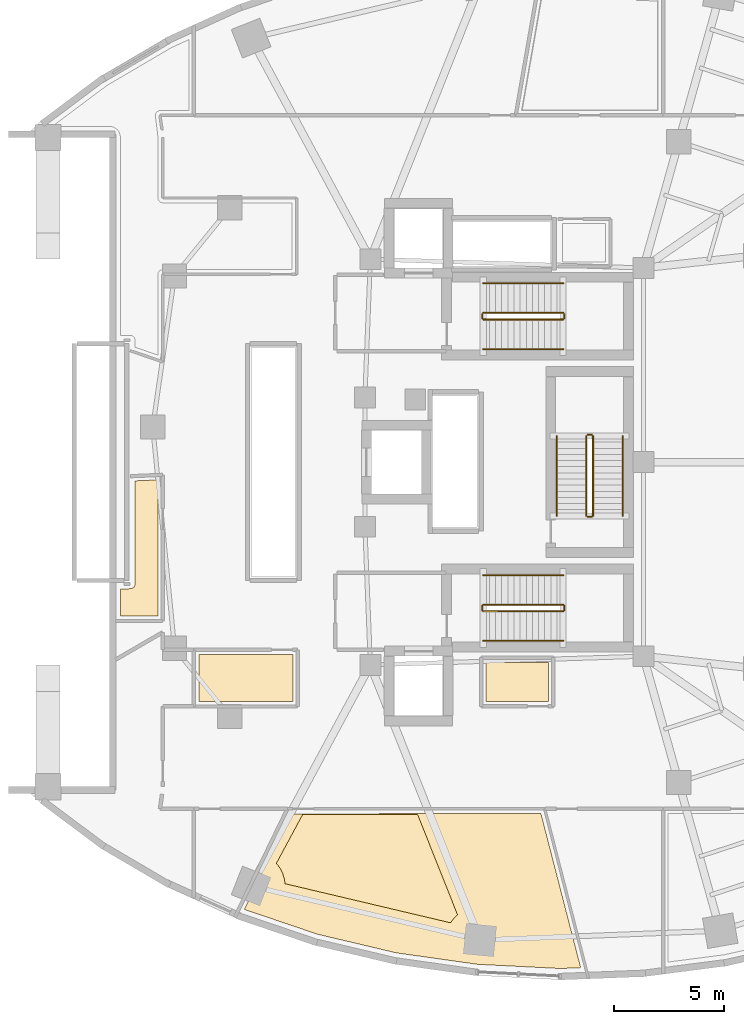
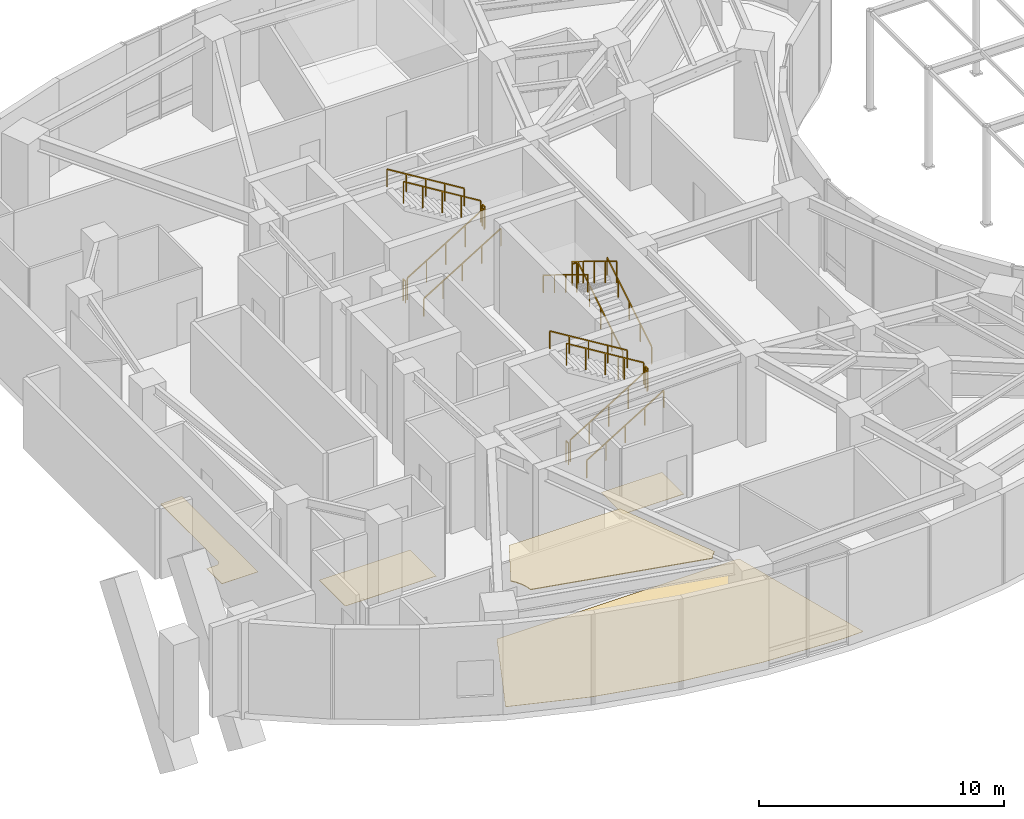
# One storey, part 21 of 24: 18 railings, 5 coverings.
"""IFC4 building model written with IfcOpenShell, lengths in metres."""

from ifc_helpers import new_model, si_unit, direction, frame, origin, origin_2d, place, context, subcontext, project, spatial, polyline, rectangle, outline, extrude, material, layer, layer_set, type_object, element, save


model = new_model("IFC4")

# Units and contexts
model_context = context("Model", 3, precision=1e-05, world=origin(), true_north=direction((0.0, 1.0)))
body_context = subcontext(model_context, "Body", "Model", "MODEL_VIEW")
ifc_project = project(units=[si_unit("LENGTHUNIT", "METRE"), si_unit("AREAUNIT", "SQUARE_METRE"), si_unit("VOLUMEUNIT", "CUBIC_METRE"), si_unit("PLANEANGLEUNIT", "RADIAN"), si_unit("MASSUNIT", "GRAM", prefix="KILO")], contexts=[model_context])

# Site, building, storey
site_placement = place(None, origin())
site = spatial("IfcSite", under=ifc_project, at=site_placement, CompositionType="ELEMENT")
building_placement = place(site_placement, origin())
building = spatial("IfcBuilding", under=site, at=building_placement, Name="Korentha Bioscience Tower", CompositionType="ELEMENT")
storey_placement = place(building_placement, frame((0.0, 0.0, 5.39990234375)))
storey = spatial("IfcBuildingStorey", under=building, at=storey_placement, Name="L01", CompositionType="ELEMENT", Elevation=5.39990234375)

# Railings
ifc_material_1 = material(Name="Stainless Steel 304", Category="steel")
railing_type_1 = type_object("IfcRailingType", Name="Brushed Stainless Stair Handrail 900", PredefinedType="HANDRAIL", material=ifc_material_1)
railing_1_placement = place(storey_placement, frame((30.25, 32.14990234375, 0.171630859375)))
element("IfcRailing", 1, at=railing_1_placement, inside=storey, type_object=railing_type_1, Name="L01 ST-1 stair handrail 1", PredefinedType="HANDRAIL", context=body_context, shape_type="SweptSolid", body=[
    extrude(rectangle(XDim=0.048095703125, YDim=0.048095703125, at=origin_2d()), frame((0.0, 0.0, 0.8759765625), z_axis=(0.852850264322, 0.0, 0.5221555579), x_axis=(0.0, 1.0, 0.0)), (0.0, 0.0, 1.0), 4.267822265625),
    extrude(rectangle(XDim=0.0419921875, YDim=0.0419921875, at=origin_2d()), origin(), (0.0, 0.0, 1.0), 0.851806640625),
    extrude(rectangle(XDim=0.0419921875, YDim=0.0419921875, at=origin_2d()), frame((0.909912109375, 0.0, 0.55712890625)), (0.0, 0.0, 1.0), 0.851806640625),
    extrude(rectangle(XDim=0.0419921875, YDim=0.0419921875, at=origin_2d()), frame((1.81982421875, 0.0, 1.1142578125)), (0.0, 0.0, 1.0), 0.851806640625),
    extrude(rectangle(XDim=0.0419921875, YDim=0.0419921875, at=origin_2d()), frame((2.72998046875, 0.0, 1.67138671875)), (0.0, 0.0, 1.0), 0.851806640625),
    extrude(rectangle(XDim=0.0419921875, YDim=0.0419921875, at=origin_2d()), frame((3.639892578125, 0.0, 2.228515625)), (0.0, 0.0, 1.0), 0.851806640625),
])
railing_2_placement = place(storey_placement, frame((33.889892578125, 35.14990234375, 2.571533203125)))
element("IfcRailing", 2, at=railing_2_placement, inside=storey, type_object=railing_type_1, Name="L01 ST-1 stair handrail 2", PredefinedType="HANDRAIL", context=body_context, shape_type="SweptSolid", body=[
    extrude(rectangle(XDim=0.048095703125, YDim=0.048095703125, at=origin_2d()), frame((0.0, 0.0, 0.8759765625), z_axis=(-0.852850264322, 0.0, 0.5221555579), x_axis=(0.0, -1.0, 0.0)), (0.0, 0.0, 1.0), 4.267822265625),
    extrude(rectangle(XDim=0.0419921875, YDim=0.0419921875, at=origin_2d()), origin(), (0.0, 0.0, 1.0), 0.851806640625),
    extrude(rectangle(XDim=0.0419921875, YDim=0.0419921875, at=origin_2d()), frame((-0.909912109375, 0.0, 0.55712890625)), (0.0, 0.0, 1.0), 0.851806640625),
    extrude(rectangle(XDim=0.0419921875, YDim=0.0419921875, at=origin_2d()), frame((-1.81982421875, 0.0, 1.1142578125)), (0.0, 0.0, 1.0), 0.851806640625),
    extrude(rectangle(XDim=0.0419921875, YDim=0.0419921875, at=origin_2d()), frame((-2.72998046875, 0.0, 1.67138671875)), (0.0, 0.0, 1.0), 0.851806640625),
    extrude(rectangle(XDim=0.0419921875, YDim=0.0419921875, at=origin_2d()), frame((-3.639892578125, 0.0, 2.228515625)), (0.0, 0.0, 1.0), 0.851806640625),
])
railing_3_placement = place(storey_placement, frame((30.25, 18.85009765625, 0.171630859375)))
element("IfcRailing", 3, at=railing_3_placement, inside=storey, type_object=railing_type_1, Name="L01 ST-2 stair handrail 1", PredefinedType="HANDRAIL", context=body_context, shape_type="SweptSolid", body=[
    extrude(rectangle(XDim=0.048095703125, YDim=0.048095703125, at=origin_2d()), frame((0.0, 0.0, 0.8759765625), z_axis=(0.852850264322, 0.0, 0.5221555579), x_axis=(0.0, 1.0, 0.0)), (0.0, 0.0, 1.0), 4.267822265625),
    extrude(rectangle(XDim=0.0419921875, YDim=0.0419921875, at=origin_2d()), origin(), (0.0, 0.0, 1.0), 0.851806640625),
    extrude(rectangle(XDim=0.0419921875, YDim=0.0419921875, at=origin_2d()), frame((0.909912109375, 0.0, 0.55712890625)), (0.0, 0.0, 1.0), 0.851806640625),
    extrude(rectangle(XDim=0.0419921875, YDim=0.0419921875, at=origin_2d()), frame((1.81982421875, 0.0, 1.1142578125)), (0.0, 0.0, 1.0), 0.851806640625),
    extrude(rectangle(XDim=0.0419921875, YDim=0.0419921875, at=origin_2d()), frame((2.72998046875, 0.0, 1.67138671875)), (0.0, 0.0, 1.0), 0.851806640625),
    extrude(rectangle(XDim=0.0419921875, YDim=0.0419921875, at=origin_2d()), frame((3.639892578125, 0.0, 2.228515625)), (0.0, 0.0, 1.0), 0.851806640625),
])
railing_4_placement = place(storey_placement, frame((33.889892578125, 21.85009765625, 2.571533203125)))
element("IfcRailing", 4, at=railing_4_placement, inside=storey, type_object=railing_type_1, Name="L01 ST-2 stair handrail 2", PredefinedType="HANDRAIL", context=body_context, shape_type="SweptSolid", body=[
    extrude(rectangle(XDim=0.048095703125, YDim=0.048095703125, at=origin_2d()), frame((0.0, 0.0, 0.8759765625), z_axis=(-0.852850264322, 0.0, 0.5221555579), x_axis=(0.0, -1.0, 0.0)), (0.0, 0.0, 1.0), 4.267822265625),
    extrude(rectangle(XDim=0.0419921875, YDim=0.0419921875, at=origin_2d()), origin(), (0.0, 0.0, 1.0), 0.851806640625),
    extrude(rectangle(XDim=0.0419921875, YDim=0.0419921875, at=origin_2d()), frame((-0.909912109375, 0.0, 0.55712890625)), (0.0, 0.0, 1.0), 0.851806640625),
    extrude(rectangle(XDim=0.0419921875, YDim=0.0419921875, at=origin_2d()), frame((-1.81982421875, 0.0, 1.1142578125)), (0.0, 0.0, 1.0), 0.851806640625),
    extrude(rectangle(XDim=0.0419921875, YDim=0.0419921875, at=origin_2d()), frame((-2.72998046875, 0.0, 1.67138671875)), (0.0, 0.0, 1.0), 0.851806640625),
    extrude(rectangle(XDim=0.0419921875, YDim=0.0419921875, at=origin_2d()), frame((-3.639892578125, 0.0, 2.228515625)), (0.0, 0.0, 1.0), 0.851806640625),
])
railing_5_placement = place(storey_placement, frame((36.60009765625, 24.550048828125, 0.171630859375)))
element("IfcRailing", 5, at=railing_5_placement, inside=storey, type_object=railing_type_1, Name="L01 ST-3 stair handrail 1", PredefinedType="HANDRAIL", context=body_context, shape_type="SweptSolid", body=[
    extrude(rectangle(XDim=0.048095703125, YDim=0.048095703125, at=origin_2d()), frame((0.0, 0.0, 0.8759765625), z_axis=(0.0, 0.852850264322, 0.5221555579), x_axis=(-1.0, 0.0, 0.0)), (0.0, 0.0, 1.0), 4.267822265625),
    extrude(rectangle(XDim=0.0419921875, YDim=0.0419921875, at=origin_2d()), origin(), (0.0, 0.0, 1.0), 0.851806640625),
    extrude(rectangle(XDim=0.0419921875, YDim=0.0419921875, at=origin_2d()), frame((0.0, 0.909912109375, 0.55712890625)), (0.0, 0.0, 1.0), 0.851806640625),
    extrude(rectangle(XDim=0.0419921875, YDim=0.0419921875, at=origin_2d()), frame((0.0, 1.81982421875, 1.1142578125)), (0.0, 0.0, 1.0), 0.851806640625),
    extrude(rectangle(XDim=0.0419921875, YDim=0.0419921875, at=origin_2d()), frame((0.0, 2.72998046875, 1.67138671875)), (0.0, 0.0, 1.0), 0.851806640625),
    extrude(rectangle(XDim=0.0419921875, YDim=0.0419921875, at=origin_2d()), frame((0.0, 3.639892578125, 2.228515625)), (0.0, 0.0, 1.0), 0.851806640625),
])
railing_6_placement = place(storey_placement, frame((33.60009765625, 28.18994140625, 2.571533203125)))
element("IfcRailing", 6, at=railing_6_placement, inside=storey, type_object=railing_type_1, Name="L01 ST-3 stair handrail 2", PredefinedType="HANDRAIL", context=body_context, shape_type="SweptSolid", body=[
    extrude(rectangle(XDim=0.048095703125, YDim=0.048095703125, at=origin_2d()), frame((0.0, 0.0, 0.8759765625), z_axis=(0.0, -0.852850264322, 0.5221555579), x_axis=(1.0, 0.0, 0.0)), (0.0, 0.0, 1.0), 4.267822265625),
    extrude(rectangle(XDim=0.0419921875, YDim=0.0419921875, at=origin_2d()), origin(), (0.0, 0.0, 1.0), 0.851806640625),
    extrude(rectangle(XDim=0.0419921875, YDim=0.0419921875, at=origin_2d()), frame((0.0, -0.909912109375, 0.55712890625)), (0.0, 0.0, 1.0), 0.851806640625),
    extrude(rectangle(XDim=0.0419921875, YDim=0.0419921875, at=origin_2d()), frame((0.0, -1.81982421875, 1.1142578125)), (0.0, 0.0, 1.0), 0.851806640625),
    extrude(rectangle(XDim=0.0419921875, YDim=0.0419921875, at=origin_2d()), frame((0.0, -2.72998046875, 1.67138671875)), (0.0, 0.0, 1.0), 0.851806640625),
    extrude(rectangle(XDim=0.0419921875, YDim=0.0419921875, at=origin_2d()), frame((0.0, -3.639892578125, 2.228515625)), (0.0, 0.0, 1.0), 0.851806640625),
])

# Covering
ifc_material_2 = material(Name="Antimicrobial Mineral Fibre Board", Category="gypsum")
ifc_layer_1 = layer(ifc_material_2, 0.034912109375, Name="Antimicrobial Mineral Fibre Board")
ifc_layer_set_1 = layer_set([ifc_layer_1], Name="Antimicrobial Mineral Fibre Board (CL-MF35)")
covering_type_1 = type_object("IfcCoveringType", Name="Mineral-Fibre Cleanroom Suspended Ceiling 35", PredefinedType="CEILING", material=ifc_layer_set_1)
covering_1_placement = place(storey_placement, frame((0.0, 0.0, 4.465087890625)))
element("IfcCovering", 7, at=covering_1_placement, inside=storey, type_object=covering_type_1, Name="L01 Industry Incubator Co-Working Studio 05 Acoustic Ceiling", PredefinedType="CEILING", context=body_context, shape_type="SweptSolid", body=[
    extrude(outline(polyline([(29.07177734375, 6.369873046875), (28.89599609375, 6.190673828125), (28.760986328125, 5.994140625), (21.211181640625, 7.77783203125), (21.1865234375, 7.973388671875), (21.098388671875, 8.264404296875), (20.955078125, 8.5322265625), (20.816162109375, 8.7080078125), (22.01708984375, 10.935791015625), (27.252685546875, 10.937744140625), (29.07177734375, 6.369873046875)])), origin(), (0.0, 0.0, 1.0), 0.034912109375),
])

# Railings
ifc_material_3 = material(Name="Painted Steel S275", Category="steel")
railing_type_2 = type_object("IfcRailingType", Name="Painted Steel Stair Well Guardrail 1100", PredefinedType="GUARDRAIL", material=ifc_material_3)
railing_7_placement = place(storey_placement, frame((30.25, 33.5, 0.171630859375)))
element("IfcRailing", 8, at=railing_7_placement, inside=storey, type_object=railing_type_2, Name="L01 ST-1 stair guard 1", PredefinedType="GUARDRAIL", context=body_context, shape_type="SweptSolid", body=[
    extrude(rectangle(XDim=0.048095703125, YDim=0.048095703125, at=origin_2d()), frame((0.0, 0.0, 1.076171875), z_axis=(0.852850264322, 0.0, 0.5221555579), x_axis=(0.0, 1.0, 0.0)), (0.0, 0.0, 1.0), 4.267822265625),
    extrude(rectangle(XDim=0.0419921875, YDim=0.0419921875, at=origin_2d()), origin(), (0.0, 0.0, 1.0), 1.052001953125),
    extrude(rectangle(XDim=0.0419921875, YDim=0.0419921875, at=origin_2d()), frame((0.909912109375, 0.0, 0.55712890625)), (0.0, 0.0, 1.0), 1.052001953125),
    extrude(rectangle(XDim=0.0419921875, YDim=0.0419921875, at=origin_2d()), frame((1.81982421875, 0.0, 1.1142578125)), (0.0, 0.0, 1.0), 1.052001953125),
    extrude(rectangle(XDim=0.0419921875, YDim=0.0419921875, at=origin_2d()), frame((2.72998046875, 0.0, 1.67138671875)), (0.0, 0.0, 1.0), 1.052001953125),
    extrude(rectangle(XDim=0.0419921875, YDim=0.0419921875, at=origin_2d()), frame((3.639892578125, 0.0, 2.228515625)), (0.0, 0.0, 1.0), 1.052001953125),
])
railing_8_placement = place(storey_placement, frame((33.93994140625, 33.550048828125, 2.400146484375)))
element("IfcRailing", 9, at=railing_8_placement, inside=storey, type_object=railing_type_2, Name="L01 ST-1 stair guard 2", PredefinedType="GUARDRAIL", context=body_context, shape_type="SweptSolid", body=[
    extrude(rectangle(XDim=0.048095703125, YDim=0.048095703125, at=origin_2d()), frame((0.0, 0.0, 1.076171875), z_axis=(0.0, 1.0, 0.0), x_axis=(-1.0, 0.0, 0.0)), (0.0, 0.0, 1.0), 0.199951171875),
    extrude(rectangle(XDim=0.0419921875, YDim=0.0419921875, at=origin_2d()), origin(), (0.0, 0.0, 1.0), 1.052001953125),
    extrude(rectangle(XDim=0.0419921875, YDim=0.0419921875, at=origin_2d()), frame((0.0, 0.199951171875, 0.0)), (0.0, 0.0, 1.0), 1.052001953125),
])
railing_9_placement = place(storey_placement, frame((33.889892578125, 33.800048828125, 2.571533203125)))
element("IfcRailing", 10, at=railing_9_placement, inside=storey, type_object=railing_type_2, Name="L01 ST-1 stair guard 3", PredefinedType="GUARDRAIL", context=body_context, shape_type="SweptSolid", body=[
    extrude(rectangle(XDim=0.048095703125, YDim=0.048095703125, at=origin_2d()), frame((0.0, 0.0, 1.076171875), z_axis=(-0.852850264322, 0.0, 0.5221555579), x_axis=(0.0, -1.0, 0.0)), (0.0, 0.0, 1.0), 4.267822265625),
    extrude(rectangle(XDim=0.0419921875, YDim=0.0419921875, at=origin_2d()), origin(), (0.0, 0.0, 1.0), 1.052001953125),
    extrude(rectangle(XDim=0.0419921875, YDim=0.0419921875, at=origin_2d()), frame((-0.909912109375, 0.0, 0.55712890625)), (0.0, 0.0, 1.0), 1.052001953125),
    extrude(rectangle(XDim=0.0419921875, YDim=0.0419921875, at=origin_2d()), frame((-1.81982421875, 0.0, 1.1142578125)), (0.0, 0.0, 1.0), 1.052001953125),
    extrude(rectangle(XDim=0.0419921875, YDim=0.0419921875, at=origin_2d()), frame((-2.72998046875, 0.0, 1.67138671875)), (0.0, 0.0, 1.0), 1.052001953125),
    extrude(rectangle(XDim=0.0419921875, YDim=0.0419921875, at=origin_2d()), frame((-3.639892578125, 0.0, 2.228515625)), (0.0, 0.0, 1.0), 1.052001953125),
])
railing_10_placement = place(storey_placement, frame((30.199951171875, 33.550048828125, 0.0)))
element("IfcRailing", 11, at=railing_10_placement, inside=storey, type_object=railing_type_2, Name="L01 ST-1 stair guard 4", PredefinedType="GUARDRAIL", context=body_context, shape_type="SweptSolid", body=[
    extrude(rectangle(XDim=0.048095703125, YDim=0.048095703125, at=origin_2d()), frame((0.0, 0.0, 1.076171875), z_axis=(0.0, 1.0, 0.0), x_axis=(-1.0, 0.0, 0.0)), (0.0, 0.0, 1.0), 0.199951171875),
    extrude(rectangle(XDim=0.0419921875, YDim=0.0419921875, at=origin_2d()), origin(), (0.0, 0.0, 1.0), 1.052001953125),
    extrude(rectangle(XDim=0.0419921875, YDim=0.0419921875, at=origin_2d()), frame((0.0, 0.199951171875, 0.0)), (0.0, 0.0, 1.0), 1.052001953125),
])
railing_11_placement = place(storey_placement, frame((30.25, 20.199951171875, 0.171630859375)))
element("IfcRailing", 12, at=railing_11_placement, inside=storey, type_object=railing_type_2, Name="L01 ST-2 stair guard 1", PredefinedType="GUARDRAIL", context=body_context, shape_type="SweptSolid", body=[
    extrude(rectangle(XDim=0.048095703125, YDim=0.048095703125, at=origin_2d()), frame((0.0, 0.0, 1.076171875), z_axis=(0.852850264322, 0.0, 0.5221555579), x_axis=(0.0, 1.0, 0.0)), (0.0, 0.0, 1.0), 4.267822265625),
    extrude(rectangle(XDim=0.0419921875, YDim=0.0419921875, at=origin_2d()), origin(), (0.0, 0.0, 1.0), 1.052001953125),
    extrude(rectangle(XDim=0.0419921875, YDim=0.0419921875, at=origin_2d()), frame((0.909912109375, 0.0, 0.55712890625)), (0.0, 0.0, 1.0), 1.052001953125),
    extrude(rectangle(XDim=0.0419921875, YDim=0.0419921875, at=origin_2d()), frame((1.81982421875, 0.0, 1.1142578125)), (0.0, 0.0, 1.0), 1.052001953125),
    extrude(rectangle(XDim=0.0419921875, YDim=0.0419921875, at=origin_2d()), frame((2.72998046875, 0.0, 1.67138671875)), (0.0, 0.0, 1.0), 1.052001953125),
    extrude(rectangle(XDim=0.0419921875, YDim=0.0419921875, at=origin_2d()), frame((3.639892578125, 0.0, 2.228515625)), (0.0, 0.0, 1.0), 1.052001953125),
])
railing_12_placement = place(storey_placement, frame((33.93994140625, 20.25, 2.400146484375)))
element("IfcRailing", 13, at=railing_12_placement, inside=storey, type_object=railing_type_2, Name="L01 ST-2 stair guard 2", PredefinedType="GUARDRAIL", context=body_context, shape_type="SweptSolid", body=[
    extrude(rectangle(XDim=0.048095703125, YDim=0.048095703125, at=origin_2d()), frame((0.0, 0.0, 1.076171875), z_axis=(0.0, 1.0, 0.0), x_axis=(-1.0, 0.0, 0.0)), (0.0, 0.0, 1.0), 0.199951171875),
    extrude(rectangle(XDim=0.0419921875, YDim=0.0419921875, at=origin_2d()), origin(), (0.0, 0.0, 1.0), 1.052001953125),
    extrude(rectangle(XDim=0.0419921875, YDim=0.0419921875, at=origin_2d()), frame((0.0, 0.199951171875, 0.0)), (0.0, 0.0, 1.0), 1.052001953125),
])
railing_13_placement = place(storey_placement, frame((33.889892578125, 20.5, 2.571533203125)))
element("IfcRailing", 14, at=railing_13_placement, inside=storey, type_object=railing_type_2, Name="L01 ST-2 stair guard 3", PredefinedType="GUARDRAIL", context=body_context, shape_type="SweptSolid", body=[
    extrude(rectangle(XDim=0.048095703125, YDim=0.048095703125, at=origin_2d()), frame((0.0, 0.0, 1.076171875), z_axis=(-0.852850264322, 0.0, 0.5221555579), x_axis=(0.0, -1.0, 0.0)), (0.0, 0.0, 1.0), 4.267822265625),
    extrude(rectangle(XDim=0.0419921875, YDim=0.0419921875, at=origin_2d()), origin(), (0.0, 0.0, 1.0), 1.052001953125),
    extrude(rectangle(XDim=0.0419921875, YDim=0.0419921875, at=origin_2d()), frame((-0.909912109375, 0.0, 0.55712890625)), (0.0, 0.0, 1.0), 1.052001953125),
    extrude(rectangle(XDim=0.0419921875, YDim=0.0419921875, at=origin_2d()), frame((-1.81982421875, 0.0, 1.1142578125)), (0.0, 0.0, 1.0), 1.052001953125),
    extrude(rectangle(XDim=0.0419921875, YDim=0.0419921875, at=origin_2d()), frame((-2.72998046875, 0.0, 1.67138671875)), (0.0, 0.0, 1.0), 1.052001953125),
    extrude(rectangle(XDim=0.0419921875, YDim=0.0419921875, at=origin_2d()), frame((-3.639892578125, 0.0, 2.228515625)), (0.0, 0.0, 1.0), 1.052001953125),
])
railing_14_placement = place(storey_placement, frame((30.199951171875, 20.25, 0.0)))
element("IfcRailing", 15, at=railing_14_placement, inside=storey, type_object=railing_type_2, Name="L01 ST-2 stair guard 4", PredefinedType="GUARDRAIL", context=body_context, shape_type="SweptSolid", body=[
    extrude(rectangle(XDim=0.048095703125, YDim=0.048095703125, at=origin_2d()), frame((0.0, 0.0, 1.076171875), z_axis=(0.0, 1.0, 0.0), x_axis=(-1.0, 0.0, 0.0)), (0.0, 0.0, 1.0), 0.199951171875),
    extrude(rectangle(XDim=0.0419921875, YDim=0.0419921875, at=origin_2d()), origin(), (0.0, 0.0, 1.0), 1.052001953125),
    extrude(rectangle(XDim=0.0419921875, YDim=0.0419921875, at=origin_2d()), frame((0.0, 0.199951171875, 0.0)), (0.0, 0.0, 1.0), 1.052001953125),
])
railing_15_placement = place(storey_placement, frame((35.25, 24.550048828125, 0.171630859375)))
element("IfcRailing", 16, at=railing_15_placement, inside=storey, type_object=railing_type_2, Name="L01 ST-3 stair guard 1", PredefinedType="GUARDRAIL", context=body_context, shape_type="SweptSolid", body=[
    extrude(rectangle(XDim=0.048095703125, YDim=0.048095703125, at=origin_2d()), frame((0.0, 0.0, 1.076171875), z_axis=(0.0, 0.852850264322, 0.5221555579), x_axis=(-1.0, 0.0, 0.0)), (0.0, 0.0, 1.0), 4.267822265625),
    extrude(rectangle(XDim=0.0419921875, YDim=0.0419921875, at=origin_2d()), origin(), (0.0, 0.0, 1.0), 1.052001953125),
    extrude(rectangle(XDim=0.0419921875, YDim=0.0419921875, at=origin_2d()), frame((0.0, 0.909912109375, 0.55712890625)), (0.0, 0.0, 1.0), 1.052001953125),
    extrude(rectangle(XDim=0.0419921875, YDim=0.0419921875, at=origin_2d()), frame((0.0, 1.81982421875, 1.1142578125)), (0.0, 0.0, 1.0), 1.052001953125),
    extrude(rectangle(XDim=0.0419921875, YDim=0.0419921875, at=origin_2d()), frame((0.0, 2.72998046875, 1.67138671875)), (0.0, 0.0, 1.0), 1.052001953125),
    extrude(rectangle(XDim=0.0419921875, YDim=0.0419921875, at=origin_2d()), frame((0.0, 3.639892578125, 2.228515625)), (0.0, 0.0, 1.0), 1.052001953125),
])
railing_16_placement = place(storey_placement, frame((35.199951171875, 28.239990234375, 2.400146484375)))
element("IfcRailing", 17, at=railing_16_placement, inside=storey, type_object=railing_type_2, Name="L01 ST-3 stair guard 2", PredefinedType="GUARDRAIL", context=body_context, shape_type="SweptSolid", body=[
    extrude(rectangle(XDim=0.048095703125, YDim=0.048095703125, at=origin_2d()), frame((0.0, 0.0, 1.076171875), z_axis=(-1.0, 0.0, 0.0), x_axis=(0.0, -1.0, 0.0)), (0.0, 0.0, 1.0), 0.199951171875),
    extrude(rectangle(XDim=0.0419921875, YDim=0.0419921875, at=origin_2d()), origin(), (0.0, 0.0, 1.0), 1.052001953125),
    extrude(rectangle(XDim=0.0419921875, YDim=0.0419921875, at=origin_2d()), frame((-0.199951171875, 0.0, 0.0)), (0.0, 0.0, 1.0), 1.052001953125),
])
railing_17_placement = place(storey_placement, frame((34.949951171875, 28.18994140625, 2.571533203125)))
element("IfcRailing", 18, at=railing_17_placement, inside=storey, type_object=railing_type_2, Name="L01 ST-3 stair guard 3", PredefinedType="GUARDRAIL", context=body_context, shape_type="SweptSolid", body=[
    extrude(rectangle(XDim=0.048095703125, YDim=0.048095703125, at=origin_2d()), frame((0.0, 0.0, 1.076171875), z_axis=(0.0, -0.852850264322, 0.5221555579), x_axis=(1.0, 0.0, 0.0)), (0.0, 0.0, 1.0), 4.267822265625),
    extrude(rectangle(XDim=0.0419921875, YDim=0.0419921875, at=origin_2d()), origin(), (0.0, 0.0, 1.0), 1.052001953125),
    extrude(rectangle(XDim=0.0419921875, YDim=0.0419921875, at=origin_2d()), frame((0.0, -0.909912109375, 0.55712890625)), (0.0, 0.0, 1.0), 1.052001953125),
    extrude(rectangle(XDim=0.0419921875, YDim=0.0419921875, at=origin_2d()), frame((0.0, -1.81982421875, 1.1142578125)), (0.0, 0.0, 1.0), 1.052001953125),
    extrude(rectangle(XDim=0.0419921875, YDim=0.0419921875, at=origin_2d()), frame((0.0, -2.72998046875, 1.67138671875)), (0.0, 0.0, 1.0), 1.052001953125),
    extrude(rectangle(XDim=0.0419921875, YDim=0.0419921875, at=origin_2d()), frame((0.0, -3.639892578125, 2.228515625)), (0.0, 0.0, 1.0), 1.052001953125),
])
railing_18_placement = place(storey_placement, frame((35.199951171875, 24.5, 0.0)))
element("IfcRailing", 19, at=railing_18_placement, inside=storey, type_object=railing_type_2, Name="L01 ST-3 stair guard 4", PredefinedType="GUARDRAIL", context=body_context, shape_type="SweptSolid", body=[
    extrude(rectangle(XDim=0.048095703125, YDim=0.048095703125, at=origin_2d()), frame((0.0, 0.0, 1.076171875), z_axis=(-1.0, 0.0, 0.0), x_axis=(0.0, -1.0, 0.0)), (0.0, 0.0, 1.0), 0.199951171875),
    extrude(rectangle(XDim=0.0419921875, YDim=0.0419921875, at=origin_2d()), origin(), (0.0, 0.0, 1.0), 1.052001953125),
    extrude(rectangle(XDim=0.0419921875, YDim=0.0419921875, at=origin_2d()), frame((-0.199951171875, 0.0, 0.0)), (0.0, 0.0, 1.0), 1.052001953125),
])

# Coverings
ifc_material_4 = material(Name="Chemical-Resistant Epoxy Resin", Category="polymer")
ifc_layer_2 = layer(ifc_material_4, 0.011962890625, Name="Chemical-Resistant Epoxy Resin")
ifc_layer_set_2 = layer_set([ifc_layer_2], Name="Chemical-Resistant Epoxy Resin (FL-EPX)")
covering_type_2 = type_object("IfcCoveringType", Name="Seamless Epoxy Laboratory Flooring 12", PredefinedType="FLOORING", material=ifc_layer_set_2)
covering_2_placement = place(storey_placement, origin())
element("IfcCovering", 20, at=covering_2_placement, inside=storey, type_object=covering_type_2, Name="L01 Core Instrumentation and Gas Store Floor Finish", PredefinedType="FLOORING", context=body_context, shape_type="SweptSolid", body=[
    extrude(outline(polyline([(30.3701171875, 16.080078125), (30.3701171875, 17.8701171875), (33.22998046875, 17.8701171875), (33.22998046875, 16.080078125), (30.3701171875, 16.080078125)])), origin(), (0.0, 0.0, 1.0), 0.01220703125),
])
covering_3_placement = place(storey_placement, origin())
element("IfcCovering", 21, at=covering_3_placement, inside=storey, type_object=covering_type_2, Name="L01 Catering Warming Kitchen 01 Floor Finish", PredefinedType="FLOORING", context=body_context, shape_type="SweptSolid", body=[
    extrude(outline(polyline([(15.409912109375, 26.189208984375), (15.409912109375, 19.971923828125), (13.7099609375, 19.971923828125), (13.7099609375, 21.219970703125), (14.206298828125, 21.22705078125), (14.32080078125, 21.2958984375), (14.377685546875, 21.416748046875), (14.3798828125, 26.14453125), (15.409912109375, 26.189208984375)])), origin(), (0.0, 0.0, 1.0), 0.01220703125),
])
covering_4_placement = place(storey_placement, origin())
element("IfcCovering", 22, at=covering_4_placement, inside=storey, type_object=covering_type_2, Name="L01 Translational Symposium Lecture Room 03 Floor Finish", PredefinedType="FLOORING", context=body_context, shape_type="SweptSolid", body=[
    extrude(outline(polyline([(21.570068359375, 16.080078125), (17.278076171875, 16.080078125), (17.278076171875, 18.219970703125), (21.570068359375, 18.219970703125), (21.570068359375, 16.080078125)])), origin(), (0.0, 0.0, 1.0), 0.01220703125),
])
covering_5_placement = place(storey_placement, origin())
element("IfcCovering", 23, at=covering_5_placement, inside=storey, type_object=covering_type_2, Name="L01 Industry Incubator Co-Working Studio 05 Floor Finish", PredefinedType="FLOORING", context=body_context, shape_type="SweptSolid", body=[
    extrude(outline(polyline([(21.465087890625, 10.9658203125), (32.87841796875, 10.969970703125), (34.689697265625, 3.947509765625), (33.756103515625, 3.9111328125), (29.989501953125, 4.101318359375), (26.28173828125, 4.625), (22.687255859375, 5.474609375), (19.35400390625, 6.60498046875), (21.465087890625, 10.9658203125)])), origin(), (0.0, 0.0, 1.0), 0.01220703125),
])

save(model, "model.ifc")
